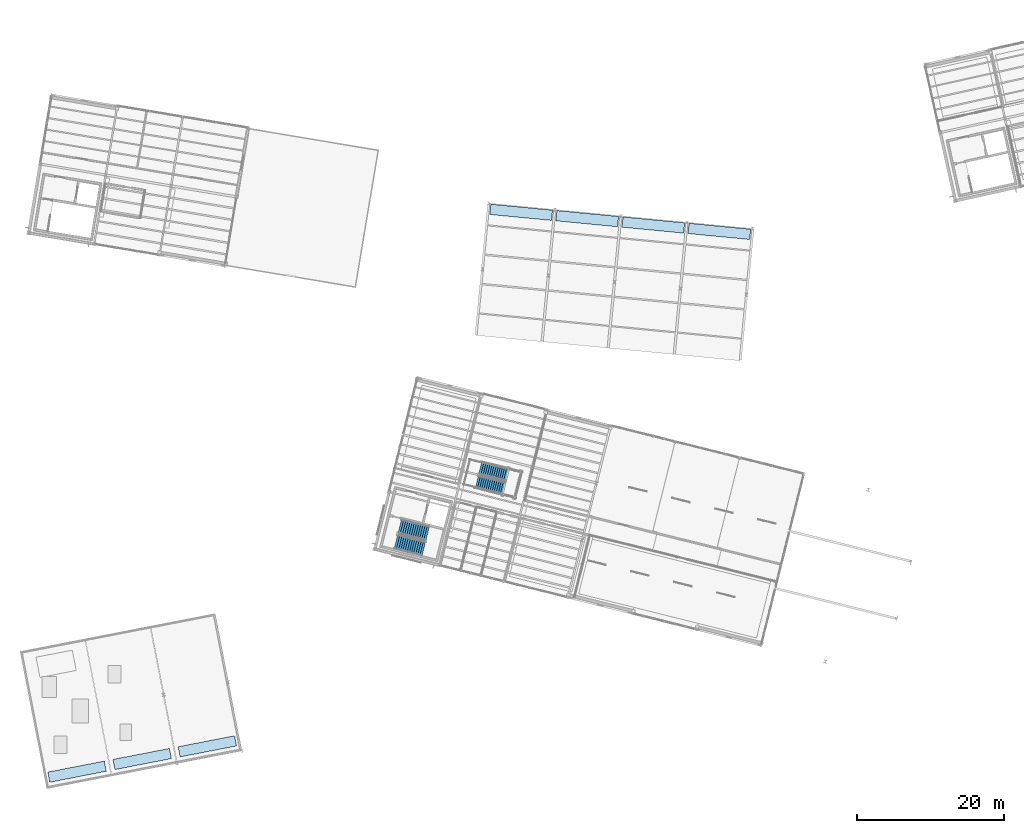
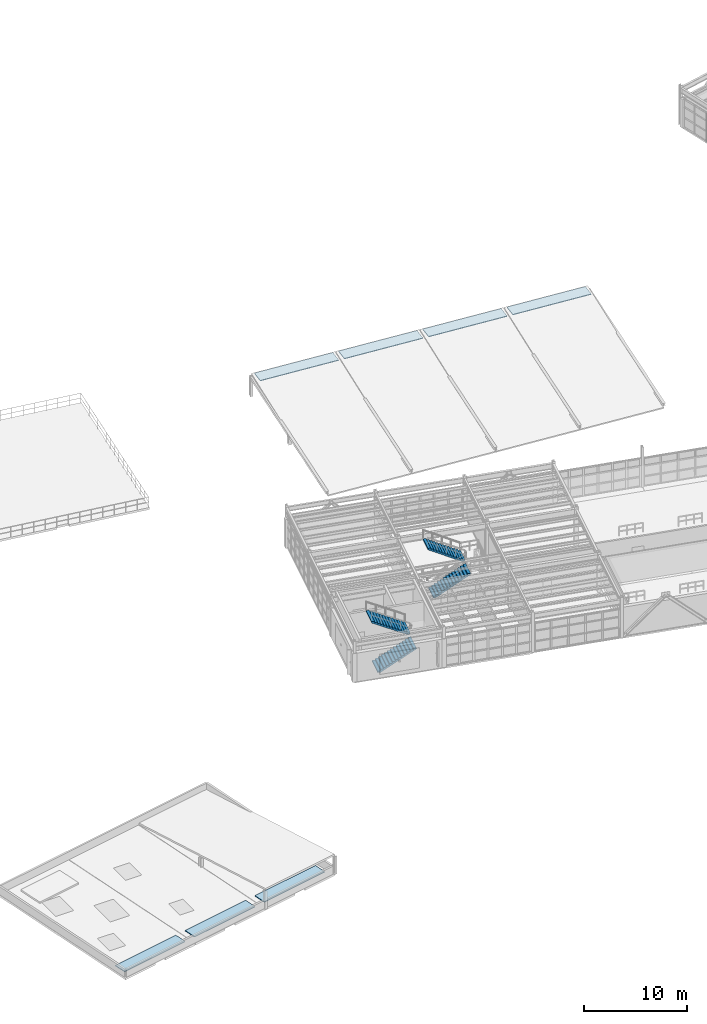
# One storey, part 50 of 59: 7 roofs, 4 stair flights, 2 elements without a shape of their own.
"""IFC4 building model written with IfcOpenShell, lengths in metres."""

import ifcopenshell
import ifcopenshell.guid

model = None  # the IFC model being written
_history = None  # IfcOwnerHistory: only IFC2X3 demands one
_inside = {}  # id of a spatial element -> (the spatial element, [elements in it])
_under = {}  # id of a project, library or spatial element -> (it, [spatial elements below it])
_declared = {}  # id of a project -> (the project, [libraries it declares])
_typed = {}  # id of a type object -> (the type object, [elements of that type])
_made_of = {}  # id of a material, layer set ... -> (it, [elements and type objects made of it])


def new_model(schema):
    """Start an empty IFC model of exactly this schema.

    Asked for "IFC4X3", IfcOpenShell would pick the latest addendum, in which some entities
    have other attributes; the version numbers below select the first issue.
    IFC2X3 requires an IfcOwnerHistory on every rooted entity: one is made here for all.
    """
    global model, _history
    if schema == "IFC4X3":
        model = ifcopenshell.file(schema_version=(4, 3, 0, 0))
    else:
        model = ifcopenshell.file(schema=schema)
    _inside.clear()
    _under.clear()
    _declared.clear()
    _typed.clear()
    _made_of.clear()
    _history = None
    if model.schema == "IFC2X3":
        org = make("IfcOrganization", Name="unknown")
        user = make(
            "IfcPersonAndOrganization",
            ThePerson=make("IfcPerson", FamilyName="unknown"),
            TheOrganization=org,
        )
        app = make(
            "IfcApplication",
            ApplicationDeveloper=org,
            Version="unknown",
            ApplicationFullName="unknown",
            ApplicationIdentifier="unknown",
        )
        _history = make(
            "IfcOwnerHistory",
            OwningUser=user,
            OwningApplication=app,
            ChangeAction="ADDED",
            CreationDate=0,
        )
    return model


def make(cls, **values):
    """One entity of the class cls with the attributes given. An attribute that is None is left unset."""
    return model.create_entity(
        cls, **{name: value for name, value in values.items() if value is not None}
    )


def rooted(cls, **values):
    """An entity with a GlobalId (a new one), such as an element, a storey or a relation."""
    return make(cls, GlobalId=ifcopenshell.guid.new(), OwnerHistory=_history, **values)


def si_unit(unit_type, name, prefix=None):
    """IfcSIUnit, for example si_unit("LENGTHUNIT", "METRE", prefix="MILLI")."""
    return make("IfcSIUnit", UnitType=unit_type, Prefix=prefix, Name=name)


def assignment(units):
    """IfcUnitAssignment: the units of a project."""
    return None if units is None else make("IfcUnitAssignment", Units=units)


def point(xyz):
    """IfcCartesianPoint."""
    return None if xyz is None else make("IfcCartesianPoint", Coordinates=xyz)


def direction(xyz):
    """IfcDirection."""
    return None if xyz is None else make("IfcDirection", DirectionRatios=xyz)


def frame(location, z_axis=None, x_axis=None):
    """IfcAxis2Placement3D, a coordinate frame: its origin and axes. An axis left out is left unset."""
    return make(
        "IfcAxis2Placement3D",
        Location=point(location),
        Axis=direction(z_axis),
        RefDirection=direction(x_axis),
    )


def frame_2d(location, x_axis=None):
    """IfcAxis2Placement2D, a coordinate frame in the plane: its origin and x axis."""
    return make(
        "IfcAxis2Placement2D", Location=point(location), RefDirection=direction(x_axis)
    )


def origin():
    """The frame at (0, 0, 0) with its axes left unset."""
    return frame((0.0, 0.0, 0.0))


def origin_2d():
    """The frame at (0, 0) in the plane with its x axis left unset."""
    return frame_2d((0.0, 0.0))


def place(relative_to, where):
    """IfcLocalPlacement: puts the frame where relative to a parent placement (None: the world)."""
    return make(
        "IfcLocalPlacement", PlacementRelTo=relative_to, RelativePlacement=where
    )


def context(
    kind, dimensions, precision=None, world=None, true_north=None, identifier=None
):
    """IfcGeometricRepresentationContext, for example the 3D "Model" context."""
    return make(
        "IfcGeometricRepresentationContext",
        ContextIdentifier=identifier,
        ContextType=kind,
        CoordinateSpaceDimension=dimensions,
        Precision=precision,
        WorldCoordinateSystem=world,
        TrueNorth=true_north,
    )


def subcontext(parent, identifier, kind, view, scale=None):
    """IfcGeometricRepresentationSubContext, for example "Body" below "Model"."""
    return make(
        "IfcGeometricRepresentationSubContext",
        ContextIdentifier=identifier,
        ContextType=kind,
        ParentContext=parent,
        TargetScale=scale,
        TargetView=view,
    )


def project(units=None, contexts=None):
    """IfcProject with its units and contexts."""
    return rooted(
        "IfcProject",
        Name="project",
        RepresentationContexts=contexts,
        UnitsInContext=assignment(units),
    )


def spatial(cls, under=None, at=None, **own):
    """A site, building, storey or space (cls), placed at a placement, below another one or the project."""
    s = rooted(cls, ObjectPlacement=at, **own)
    if under is not None:
        _under.setdefault(under.id(), (under, []))[1].append(s)
    return s


def polyline(points):
    """IfcPolyline through the points."""
    return make("IfcPolyline", Points=[point(p) for p in points])


def profile(cls, at=None, kind="AREA", **sizes):
    """A parametric profile (cls). Its sizes go by their IFC names, for example OverallWidth=200.0."""
    return make(cls, ProfileType=kind, Position=at, **sizes)


def rectangle(**sizes):
    """IfcRectangleProfileDef."""
    return profile("IfcRectangleProfileDef", **sizes)


def outline(outer, holes=None, kind="AREA"):
    """IfcArbitraryClosedProfileDef: a profile drawn as a closed curve; with holes, ...WithVoids."""
    if holes is None:
        return make("IfcArbitraryClosedProfileDef", ProfileType=kind, OuterCurve=outer)
    return make(
        "IfcArbitraryProfileDefWithVoids",
        ProfileType=kind,
        OuterCurve=outer,
        InnerCurves=holes,
    )


def extrude(swept, where, along, depth):
    """IfcExtrudedAreaSolid: the profile swept, set in the frame where, extruded along a direction by depth."""
    return make(
        "IfcExtrudedAreaSolid",
        SweptArea=swept,
        Position=where,
        ExtrudedDirection=direction(along),
        Depth=depth,
    )


def shape(context_of_items, identifier, shape_type, items):
    """IfcShapeRepresentation: the items that make up one representation, for example the "Body"."""
    return make(
        "IfcShapeRepresentation",
        ContextOfItems=context_of_items,
        RepresentationIdentifier=identifier,
        RepresentationType=shape_type,
        Items=items,
    )


def material(Name=None, Category=None):
    """IfcMaterial."""
    return make("IfcMaterial", Name=Name, Category=Category)


def layer(
    of_material, thickness, ventilated=None, Name=None, Category=None, Priority=None
):
    """IfcMaterialLayer: one layer of a wall or slab, of a material (None: an air gap)."""
    return make(
        "IfcMaterialLayer",
        Material=of_material,
        LayerThickness=thickness,
        IsVentilated=ventilated,
        Name=Name,
        Category=Category,
        Priority=Priority,
    )


def layer_set(layers, Name=None):
    """IfcMaterialLayerSet."""
    return make("IfcMaterialLayerSet", MaterialLayers=layers, LayerSetName=Name)


def made_of(thing, what):
    """Note that an element or type object is made of a material, layer set ...; save() writes the relation."""
    if what is not None:
        _made_of.setdefault(what.id(), (what, []))[1].append(thing)
    return thing


def type_object(cls, material=None, **own):
    """A type object (cls), such as IfcWallType, which elements share."""
    return made_of(rooted(cls, **own), material)


def element(
    cls,
    number,
    at=None,
    inside=None,
    cuts=None,
    type_object=None,
    material=None,
    context=None,
    identifier="Body",
    shape_type=None,
    held_by="IfcProductDefinitionShape",
    body=None,
    shapes=None,
    **own,
):
    """One element of the class cls, such as IfcWall. Its Tag is "e" and its number.

    at: its placement. inside: the storey or other place that contains it. cuts: it is an
    opening in that element (IfcRelVoidsElement). A single representation is given by context,
    identifier, shape_type and body (its items); several are given by shapes. held_by: the class
    of the entity that holds the representations. save() writes the other relations.
    """
    e = rooted(cls, Tag="e%d" % number, ObjectPlacement=at, **own)
    if body is not None:
        shapes = [shape(context, identifier, shape_type, body)]
    if shapes is not None:
        e.Representation = make(held_by, Representations=shapes)
    if inside is not None:
        _inside.setdefault(inside.id(), (inside, []))[1].append(e)
    if cuts is not None:
        rooted(
            "IfcRelVoidsElement", RelatingBuildingElement=cuts, RelatedOpeningElement=e
        )
    if type_object is not None:
        _typed.setdefault(type_object.id(), (type_object, []))[1].append(e)
    return made_of(e, material)


def aggregate(whole, parts):
    """IfcRelAggregates: a whole, such as a stair, and the parts it consists of."""
    return rooted("IfcRelAggregates", RelatingObject=whole, RelatedObjects=parts)


def save(model, path):
    """Write the relations noted so far, then the file.

    IfcRelAggregates (storeys below a building ...), IfcRelContainedInSpatialStructure (elements
    in a storey), IfcRelDefinesByType, IfcRelAssociatesMaterial and IfcRelDeclares: one each for
    every whole, place, type object, material and project.
    """
    for whole, parts in _under.values():
        aggregate(whole, parts)
    for where, things in _inside.values():
        rooted(
            "IfcRelContainedInSpatialStructure",
            RelatedElements=things,
            RelatingStructure=where,
        )
    for kind, things in _typed.values():
        rooted("IfcRelDefinesByType", RelatedObjects=things, RelatingType=kind)
    for what, things in _made_of.values():
        rooted("IfcRelAssociatesMaterial", RelatedObjects=things, RelatingMaterial=what)
    for by, libraries in _declared.values():
        rooted("IfcRelDeclares", RelatingContext=by, RelatedDefinitions=libraries)
    model.write(path)


model = new_model("IFC4")

# Units and contexts
model_context = context("Model", 3, precision=1e-05, world=origin(), true_north=direction((0.0, 1.0)))
body_context = subcontext(model_context, "Body", "Model", "MODEL_VIEW")
ifc_project = project(units=[si_unit("LENGTHUNIT", "METRE"), si_unit("AREAUNIT", "SQUARE_METRE"), si_unit("VOLUMEUNIT", "CUBIC_METRE"), si_unit("PLANEANGLEUNIT", "RADIAN"), si_unit("MASSUNIT", "GRAM", prefix="KILO")], contexts=[model_context])

# Site, building, storey
site_placement = place(None, origin())
site = spatial("IfcSite", under=ifc_project, at=site_placement, CompositionType="ELEMENT")
building_placement = place(site_placement, origin())
building = spatial("IfcBuilding", under=site, at=building_placement, Name="Vireo Bluff Cable Station", CompositionType="ELEMENT")
storey_placement = place(building_placement, frame((0.0, 0.0, 14.39990234375)))
storey = spatial("IfcBuildingStorey", under=building, at=storey_placement, Name="L03", CompositionType="ELEMENT", Elevation=14.39990234375)

# Stair, stair flights
ifc_material = material(Name="Concrete f'c 40 MPa", Category="concrete")
stair_type_1 = type_object("IfcStairType", Name="STAIR-HT-1680", PredefinedType="HALF_TURN_STAIR", material=ifc_material)
stair_1_placement = place(storey_placement, origin())
stair_1 = element("IfcStair", 1, at=stair_1_placement, inside=storey, type_object=stair_type_1, Name="L03 Feature Concourse Stair ST-10", PredefinedType="HALF_TURN_STAIR")
stair_flight_type_1 = type_object("IfcStairFlightType", Name="FLIGHT-1680", PredefinedType="STRAIGHT", material=ifc_material)
stair_flight_1_placement = place(storey_placement, frame((67.857666015625, 47.15966796875, 0.0), z_axis=(0.0, 0.0, 1.0), x_axis=(0.970295726276, -0.2419218956, 0.0)))
stair_flight_1 = element("IfcStairFlight", 2, at=stair_flight_1_placement, type_object=stair_flight_type_1, Name="ST-10 flight 1", NumberOfRisers=14, NumberOfTreads=13, PredefinedType="STRAIGHT", RiserHeight=0.171428571, TreadLength=0.29, context=body_context, shape_type="SweptSolid", body=[
    extrude(outline(polyline([(0.0, 0.0), (0.0, 0.17138671875), (0.2900390625, 0.17138671875), (0.2900390625, 0.3427734375), (0.580078125, 0.3427734375), (0.580078125, 0.514404296875), (0.8701171875, 0.514404296875), (0.8701171875, 0.685791015625), (1.159912109375, 0.685791015625), (1.159912109375, 0.857177734375), (1.449951171875, 0.857177734375), (1.449951171875, 1.028564453125), (1.739990234375, 1.028564453125), (1.739990234375, 1.199951171875), (2.030029296875, 1.199951171875), (2.030029296875, 1.371337890625), (2.320068359375, 1.371337890625), (2.320068359375, 1.54296875), (2.610107421875, 1.54296875), (2.610107421875, 1.71435546875), (2.89990234375, 1.71435546875), (2.89990234375, 1.8857421875), (3.18994140625, 1.8857421875), (3.18994140625, 2.05712890625), (3.47998046875, 2.05712890625), (3.47998046875, 2.228515625), (3.77001953125, 2.228515625), (3.77001953125, 2.39990234375), (3.77001953125, 2.054443359375), (0.294677734375, 0.0), (0.0, 0.0)])), frame((0.0, 0.83984375, 0.0), z_axis=(0.0, -1.0, 0.0), x_axis=(1.0, 0.0, 0.0)), (0.0, 0.0, 1.0), 1.679931640625),
])
stair_flight_2_placement = place(storey_placement, frame((71.970458984375, 48.07177734375, 2.400146484375), z_axis=(0.0, 0.0, 1.0), x_axis=(-0.970295726276, 0.2419218956, 0.0)))
stair_flight_2 = element("IfcStairFlight", 3, at=stair_flight_2_placement, type_object=stair_flight_type_1, Name="ST-10 flight 2", NumberOfRisers=14, NumberOfTreads=13, PredefinedType="STRAIGHT", RiserHeight=0.171428571, TreadLength=0.29, context=body_context, shape_type="SweptSolid", body=[
    extrude(outline(polyline([(0.0, 0.0), (0.0, 0.17138671875), (0.2900390625, 0.17138671875), (0.2900390625, 0.3427734375), (0.580078125, 0.3427734375), (0.580078125, 0.514404296875), (0.8701171875, 0.514404296875), (0.8701171875, 0.685791015625), (1.159912109375, 0.685791015625), (1.159912109375, 0.857177734375), (1.449951171875, 0.857177734375), (1.449951171875, 1.028564453125), (1.739990234375, 1.028564453125), (1.739990234375, 1.199951171875), (2.030029296875, 1.199951171875), (2.030029296875, 1.371337890625), (2.320068359375, 1.371337890625), (2.320068359375, 1.54296875), (2.610107421875, 1.54296875), (2.610107421875, 1.71435546875), (2.89990234375, 1.71435546875), (2.89990234375, 1.8857421875), (3.18994140625, 1.8857421875), (3.18994140625, 2.05712890625), (3.47998046875, 2.05712890625), (3.47998046875, 2.228515625), (3.77001953125, 2.228515625), (3.77001953125, 2.39990234375), (3.77001953125, 2.054443359375), (0.294677734375, 0.0), (0.0, 0.0)])), frame((0.0, 0.83984375, 0.0), z_axis=(0.0, -1.0, 0.0), x_axis=(1.0, 0.0, 0.0)), (0.0, 0.0, 1.0), 1.679931640625),
])
aggregate(stair_1, [stair_flight_1, stair_flight_2])

stair_type_2 = type_object("IfcStairType", Name="STAIR-HT-1950", PredefinedType="HALF_TURN_STAIR", material=ifc_material)
stair_2_placement = place(storey_placement, origin())
stair_2 = element("IfcStair", 4, at=stair_2_placement, inside=storey, type_object=stair_type_2, Name="L03 CORE-2 Exit Stair ST-02", PredefinedType="HALF_TURN_STAIR")
stair_flight_type_2 = type_object("IfcStairFlightType", Name="FLIGHT-1950", PredefinedType="STRAIGHT", material=ifc_material)
stair_flight_3_placement = place(storey_placement, frame((56.87939453125, 39.00830078125, 0.0), z_axis=(0.0, 0.0, 1.0), x_axis=(0.970295726276, -0.2419218956, 0.0)))
stair_flight_3 = element("IfcStairFlight", 5, at=stair_flight_3_placement, type_object=stair_flight_type_2, Name="ST-02 flight 1", NumberOfRisers=14, NumberOfTreads=13, PredefinedType="STRAIGHT", RiserHeight=0.171428571, TreadLength=0.3, context=body_context, shape_type="SweptSolid", body=[
    extrude(outline(polyline([(0.0, 0.0), (0.0, 0.17138671875), (0.300048828125, 0.17138671875), (0.300048828125, 0.3427734375), (0.60009765625, 0.3427734375), (0.60009765625, 0.514404296875), (0.89990234375, 0.514404296875), (0.89990234375, 0.685791015625), (1.199951171875, 0.685791015625), (1.199951171875, 0.857177734375), (1.5, 0.857177734375), (1.5, 1.028564453125), (1.800048828125, 1.028564453125), (1.800048828125, 1.199951171875), (2.10009765625, 1.199951171875), (2.10009765625, 1.371337890625), (2.39990234375, 1.371337890625), (2.39990234375, 1.54296875), (2.699951171875, 1.54296875), (2.699951171875, 1.71435546875), (3.0, 1.71435546875), (3.0, 1.8857421875), (3.300048828125, 1.8857421875), (3.300048828125, 2.05712890625), (3.60009765625, 2.05712890625), (3.60009765625, 2.228515625), (3.89990234375, 2.228515625), (3.89990234375, 2.39990234375), (3.89990234375, 2.055908203125), (0.30224609375, 0.0), (0.0, 0.0)])), frame((0.0, 0.97509765625, 0.0), z_axis=(0.0, -1.0, 0.0), x_axis=(1.0, 0.0, 0.0)), (0.0, 0.0, 1.0), 1.949951171875),
])
stair_flight_4_placement = place(storey_placement, frame((61.183837890625, 40.15087890625, 2.400146484375), z_axis=(0.0, 0.0, 1.0), x_axis=(-0.970295726276, 0.2419218956, 0.0)))
stair_flight_4 = element("IfcStairFlight", 6, at=stair_flight_4_placement, type_object=stair_flight_type_2, Name="ST-02 flight 2", NumberOfRisers=14, NumberOfTreads=13, PredefinedType="STRAIGHT", RiserHeight=0.171428571, TreadLength=0.3, context=body_context, shape_type="SweptSolid", body=[
    extrude(outline(polyline([(0.0, 0.0), (0.0, 0.17138671875), (0.300048828125, 0.17138671875), (0.300048828125, 0.3427734375), (0.60009765625, 0.3427734375), (0.60009765625, 0.514404296875), (0.89990234375, 0.514404296875), (0.89990234375, 0.685791015625), (1.199951171875, 0.685791015625), (1.199951171875, 0.857177734375), (1.5, 0.857177734375), (1.5, 1.028564453125), (1.800048828125, 1.028564453125), (1.800048828125, 1.199951171875), (2.10009765625, 1.199951171875), (2.10009765625, 1.371337890625), (2.39990234375, 1.371337890625), (2.39990234375, 1.54296875), (2.699951171875, 1.54296875), (2.699951171875, 1.71435546875), (3.0, 1.71435546875), (3.0, 1.8857421875), (3.300048828125, 1.8857421875), (3.300048828125, 2.05712890625), (3.60009765625, 2.05712890625), (3.60009765625, 2.228515625), (3.89990234375, 2.228515625), (3.89990234375, 2.39990234375), (3.89990234375, 2.055908203125), (0.30224609375, 0.0), (0.0, 0.0)])), frame((0.0, 0.97509765625, 0.0), z_axis=(0.0, -1.0, 0.0), x_axis=(1.0, 0.0, 0.0)), (0.0, 0.0, 1.0), 1.949951171875),
])
aggregate(stair_2, [stair_flight_3, stair_flight_4])

# Roofs
ifc_layer_1 = layer(ifc_material, 0.080078125, Name="Concrete f'c 40 MPa")
ifc_layer_set_1 = layer_set([ifc_layer_1], Name="Concrete f'c 40 MPa")
roof_type_1 = type_object("IfcRoofType", Name="ROOF-SAWTOOTH-01", PredefinedType="SHED_ROOF", material=ifc_layer_set_1)
for number, where, z_axis, x_axis, name in (
    (7, (73.865966796875, 83.693359375, 2.590087890625), (0.0, 0.0, 1.0), (0.995396198367, -0.09584575252, 0.0), "V3 wing roof ridge cap 1"),
    (8, (82.824462890625, 82.830810546875, 2.590087890625), (0.0, 0.0, 1.0), (0.995396198367, -0.09584575252, 0.0), "V3 wing roof ridge cap 2"),
    (9, (91.782958984375, 81.96826171875, 2.590087890625), (0.0, 0.0, 1.0), (0.995396198367, -0.09584575252, 0.0), "V3 wing roof ridge cap 3"),
    (10, (100.74169921875, 81.10546875, 2.590087890625), (0.0, 0.0, 1.0), (0.995396198367, -0.09584575252, 0.0), "V3 wing roof ridge cap 4"),
):
    element("IfcRoof", number, at=place(storey_placement, frame(where, z_axis=z_axis, x_axis=x_axis)), inside=storey, type_object=roof_type_1, Name=name, PredefinedType="SHED_ROOF", context=body_context, shape_type="SweptSolid", body=[
        extrude(rectangle(XDim=8.39990234375, YDim=1.39990234375, at=origin_2d()), origin(), (0.0, 0.0, 1.0), 0.080078125),
    ])
ifc_layer_2 = layer(ifc_material, 0.080078125, Name="Concrete f'c 40 MPa")
ifc_layer_set_2 = layer_set([ifc_layer_2], Name="Concrete f'c 40 MPa")
roof_type_2 = type_object("IfcRoofType", Name="ROOF-TERRACE-01", PredefinedType="FLAT_ROOF", material=ifc_layer_set_2)
for number, where, z_axis, x_axis, name in (
    (11, (13.631103515625, 7.8310546875, 0.0), (0.0, 0.0, 1.0), (0.981627183448, 0.190808995377, 0.0), "V5 flat roof assembly 1"),
    (12, (22.4658203125, 9.54833984375, 0.0), (0.0, 0.0, 1.0), (0.981627183448, 0.190808995377, 0.0), "V5 flat roof assembly 2"),
    (13, (31.30029296875, 11.265625, 0.0), (0.0, 0.0, 1.0), (0.981627183448, 0.190808995377, 0.0), "V5 flat roof assembly 3"),
):
    element("IfcRoof", number, at=place(storey_placement, frame(where, z_axis=z_axis, x_axis=x_axis)), inside=storey, type_object=roof_type_2, Name=name, PredefinedType="FLAT_ROOF", context=body_context, shape_type="SweptSolid", body=[
        extrude(rectangle(XDim=7.800048828125, YDim=1.39990234375, at=origin_2d()), origin(), (0.0, 0.0, 1.0), 0.080078125),
    ])

save(model, "model.ifc")
